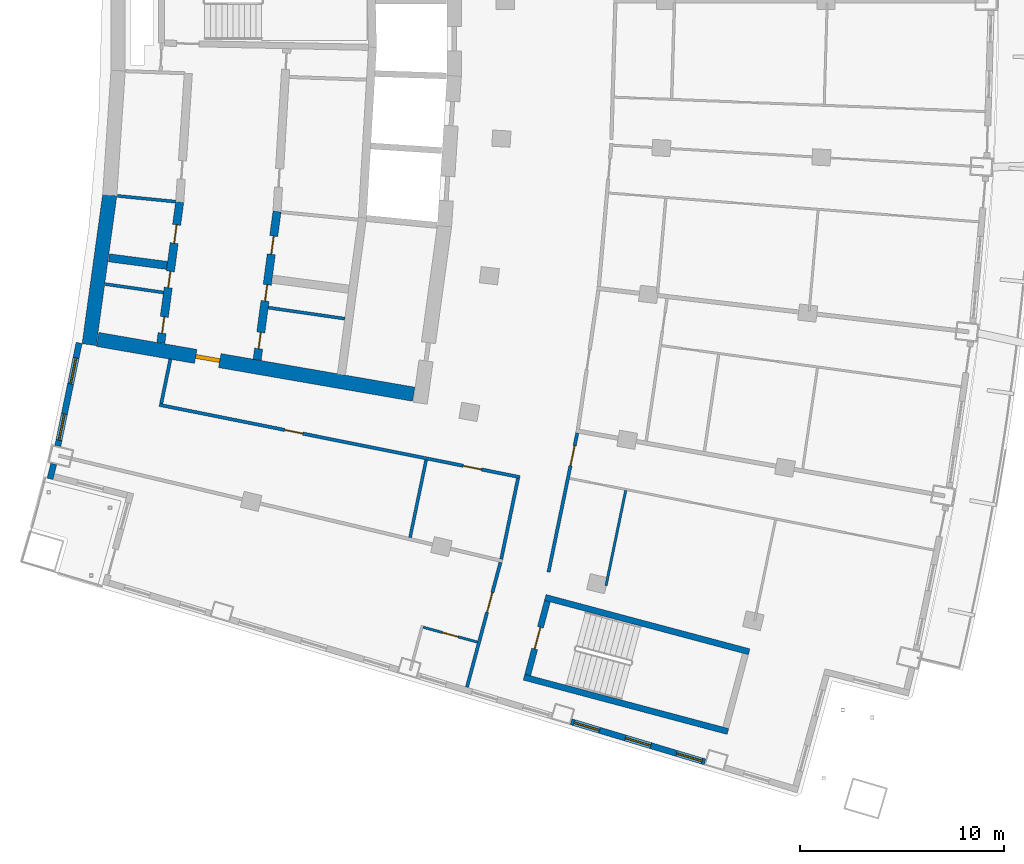
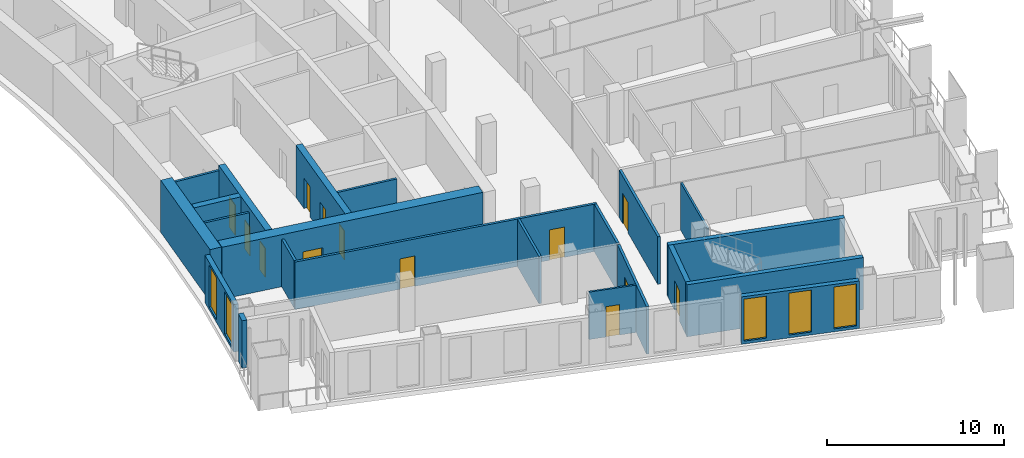
# One storey, part 10 of 20: 22 walls, 13 doors, 5 windows, 18 openings.
"""IFC4 building model written with IfcOpenShell, lengths in metres."""

from ifc_helpers import new_model, si_unit, direction, frame, frame_2d, origin, place, context, subcontext, project, spatial, rectangle, extrude, material, layer, layer_set, type_object, element, fill, save


model = new_model("IFC4")

# Units and contexts
model_context = context("Model", 3, precision=1e-05, world=origin(), true_north=direction((0.0, 1.0)))
body_context = subcontext(model_context, "Body", "Model", "MODEL_VIEW")
ifc_project = project(units=[si_unit("LENGTHUNIT", "METRE"), si_unit("AREAUNIT", "SQUARE_METRE"), si_unit("VOLUMEUNIT", "CUBIC_METRE"), si_unit("PLANEANGLEUNIT", "RADIAN"), si_unit("MASSUNIT", "GRAM", prefix="KILO")], contexts=[model_context])

# Site, building, storey
site_placement = place(None, origin())
site = spatial("IfcSite", under=ifc_project, at=site_placement, CompositionType="ELEMENT")
building_placement = place(site_placement, origin())
building = spatial("IfcBuilding", under=site, at=building_placement, Name="Alderwake Tower", CompositionType="ELEMENT")
storey_placement = place(building_placement, frame((0.0, 0.0, 164.0)))
storey = spatial("IfcBuildingStorey", under=building, at=storey_placement, Name="L40", CompositionType="ELEMENT", Elevation=164.0)

# Walls
ifc_material_1 = material(Name="Gypsum shaft wall system, rated")
ifc_layer_1 = layer(ifc_material_1, 0.14990234375)
ifc_layer_set_1 = layer_set([ifc_layer_1], Name="Core room partition 150")
wall_type_1 = type_object("IfcWallType", Name="Core room partition 150", PredefinedType="PARTITIONING", material=ifc_layer_set_1)
wall_1_placement = place(storey_placement, frame((16.16357421875, 47.110595703125, 0.0), z_axis=(0.0, 0.0, 1.0), x_axis=(0.989731551655, -0.142938642984, 0.0)))
element("IfcWall", 1, at=wall_1_placement, inside=storey, type_object=wall_type_1, Name="CW/L40/PR-150_+0", PredefinedType="PARTITIONING", context=body_context, shape_type="SweptSolid", body=[
    extrude(rectangle(XDim=2.883056640625, YDim=0.14990234375, at=frame_2d((1.44140625, 0.0))), origin(), (0.0, 0.0, 1.0), 3.280029296875),
])
wall_2_placement = place(storey_placement, frame((24.160400390625, 45.95556640625, 0.0), z_axis=(0.0, 0.0, 1.0), x_axis=(0.989733513529, -0.142925057975, 0.0)))
element("IfcWall", 2, at=wall_2_placement, inside=storey, type_object=wall_type_1, Name="CW/L40/PR-150_+86", PredefinedType="PARTITIONING", context=body_context, shape_type="SweptSolid", body=[
    extrude(rectangle(XDim=3.795654296875, YDim=0.14990234375, at=frame_2d((1.89794921875, 0.0))), origin(), (0.0, 0.0, 1.0), 3.280029296875),
])
wall_3_placement = place(storey_placement, frame((16.759033203125, 51.438720703125, 0.0), z_axis=(0.0, 0.0, 1.0), x_axis=(0.995151923206, -0.098349630095, 0.0)))
element("IfcWall", 3, at=wall_3_placement, inside=storey, type_object=wall_type_1, Name="CW/L40/PR-103_+0", PredefinedType="PARTITIONING", context=body_context, shape_type="SweptSolid", body=[
    extrude(rectangle(XDim=2.86962890625, YDim=0.14990234375, at=frame_2d((1.434814453125, 0.0))), origin(), (0.0, 0.0, 1.0), 3.280029296875),
])
ifc_material_2 = material(Name="Concrete C70/85", Category="concrete")
ifc_layer_2 = layer(ifc_material_2, 0.699951171875)
ifc_layer_set_2 = layer_set([ifc_layer_2], Name="Core wall outer 700 C70-85")
wall_type_2 = type_object("IfcWallType", Name="Core wall outer 700 C70-85", PredefinedType="SHEAR", material=ifc_layer_set_2)
wall_4_placement = place(storey_placement, frame((15.370849609375, 44.1376953125, 0.0), z_axis=(0.0, 0.0, 1.0), x_axis=(0.136315619812, 0.99066545907, 0.0)))
element("IfcWall", 4, at=wall_4_placement, inside=storey, type_object=wall_type_2, Name="Core wall CW.042", PredefinedType="SHEAR", context=body_context, shape_type="SweptSolid", body=[
    extrude(rectangle(XDim=7.420166015625, YDim=0.699951171875, at=frame_2d((3.7099609375, 0.0))), origin(), (0.0, 0.0, 1.0), 3.60009765625),
])

# Wall, opening, door
wall_5_placement = place(storey_placement, frame((31.295654296875, 41.705810546875, 0.0), z_axis=(0.0, 0.0, 1.0), x_axis=(-0.985302589944, 0.170818050129, 0.0)))
wall_5 = element("IfcWall", 5, at=wall_5_placement, inside=storey, type_object=wall_type_2, Name="Core wall CW.072", PredefinedType="SHEAR", context=body_context, shape_type="SweptSolid", body=[
    extrude(rectangle(XDim=15.7373046875, YDim=0.699951171875, at=frame_2d((7.86865234375, 0.0))), origin(), (0.0, 0.0, 1.0), 3.60009765625),
])
opening_1_placement = place(wall_5_placement, frame((9.65576171875, 0.0, 0.0)))
opening_1 = element("IfcOpeningElement", 6, at=opening_1_placement, cuts=wall_5, Name="Opening C003", PredefinedType="OPENING", context=body_context, shape_type="SweptSolid", body=[
    extrude(rectangle(XDim=1.199951171875, YDim=2.10009765625, at=frame_2d((0.60009765625, 1.050048828125))), frame((0.0, 0.35986328125, 0.0), z_axis=(0.0, -1.0, 0.0), x_axis=(1.0, 0.0, 0.0)), (0.0, 0.0, 1.0), 0.719970703125),
])
ifc_material_3 = material(Name="Steel-framed fire door leaf", Category="steel")
door_type_1 = type_object("IfcDoorType", Name="Core lobby exit door 1200 fire-rated", OperationType="SINGLE_SWING_LEFT", PredefinedType="DOOR", material=ifc_material_3)
door_1_placement = place(opening_1_placement, origin())
door_1 = element("IfcDoor", 7, at=door_1_placement, inside=storey, type_object=door_type_1, Name="Lobby door", OperationType="SINGLE_SWING_LEFT", OverallHeight=2.10009765625, OverallWidth=1.199951171875, PredefinedType="DOOR", context=body_context, shape_type="SweptSolid", body=[
    extrude(rectangle(XDim=1.199951171875, YDim=2.10009765625, at=frame_2d((0.60009765625, 1.050048828125))), frame((0.0, 0.10009765625, 0.0), z_axis=(0.0, -1.0, 0.0), x_axis=(1.0, 0.0, 0.0)), (0.0, 0.0, 1.0), 0.199951171875),
])
fill(opening_1, door_1)

# Wall, openings, doors
ifc_material_4 = material(Name="Concrete C70/85", Category="concrete")
ifc_layer_3 = layer(ifc_material_4, 0.39990234375)
ifc_layer_set_3 = layer_set([ifc_layer_3], Name="Core wall spine 400 C70-85")
wall_type_3 = type_object("IfcWallType", Name="Core wall spine 400 C70-85", PredefinedType="SHEAR", material=ifc_layer_set_3)
wall_6_placement = place(storey_placement, frame((19.814697265625, 51.143798828125, 0.0), z_axis=(0.0, 0.0, 1.0), x_axis=(-0.132864871698, -0.991134161387, 0.0)))
wall_6 = element("IfcWall", 8, at=wall_6_placement, inside=storey, type_object=wall_type_3, Name="Core wall CW.033", PredefinedType="SHEAR", context=body_context, shape_type="SweptSolid", body=[
    extrude(rectangle(XDim=6.978759765625, YDim=0.39990234375, at=frame_2d((3.4892578125, 0.0))), origin(), (0.0, 0.0, 1.0), 3.60009765625),
])
opening_2_placement = place(wall_6_placement, frame((5.69677734375, 0.0, 0.0)))
opening_2 = element("IfcOpeningElement", 9, at=opening_2_placement, cuts=wall_6, Name="Opening C008", PredefinedType="OPENING", context=body_context, shape_type="SweptSolid", body=[
    extrude(rectangle(XDim=0.800048828125, YDim=2.0, at=frame_2d((0.39990234375, 1.0))), frame((0.0, 0.2099609375, 0.0), z_axis=(0.0, -1.0, 0.0), x_axis=(1.0, 0.0, 0.0)), (0.0, 0.0, 1.0), 0.419921875),
])
opening_3_placement = place(wall_6_placement, frame((3.443115234375, 0.0, 0.0)))
opening_3 = element("IfcOpeningElement", 10, at=opening_3_placement, cuts=wall_6, Name="Opening C012", PredefinedType="OPENING", context=body_context, shape_type="SweptSolid", body=[
    extrude(rectangle(XDim=0.800048828125, YDim=2.0, at=frame_2d((0.39990234375, 1.0))), frame((0.0, 0.2099609375, 0.0), z_axis=(0.0, -1.0, 0.0), x_axis=(1.0, 0.0, 0.0)), (0.0, 0.0, 1.0), 0.419921875),
])
opening_4_placement = place(wall_6_placement, frame((1.13916015625, 0.0, 0.0)))
opening_4 = element("IfcOpeningElement", 11, at=opening_4_placement, cuts=wall_6, Name="Opening C039", PredefinedType="OPENING", context=body_context, shape_type="SweptSolid", body=[
    extrude(rectangle(XDim=0.89990234375, YDim=2.10009765625, at=frame_2d((0.449951171875, 1.050048828125))), frame((0.0, 0.2099609375, 0.0), z_axis=(0.0, -1.0, 0.0), x_axis=(1.0, 0.0, 0.0)), (0.0, 0.0, 1.0), 0.419921875),
])
ifc_material_5 = material(Name="Painted steel leaf", Category="steel")
door_type_2 = type_object("IfcDoorType", Name="Core room door 900", OperationType="SINGLE_SWING_LEFT", PredefinedType="DOOR", material=ifc_material_5)
door_2_placement = place(opening_4_placement, origin())
door_2 = element("IfcDoor", 12, at=door_2_placement, inside=storey, type_object=door_type_2, Name="Room door", OperationType="SINGLE_SWING_LEFT", OverallHeight=2.10009765625, OverallWidth=0.89990234375, PredefinedType="DOOR", context=body_context, shape_type="SweptSolid", body=[
    extrude(rectangle(XDim=0.89990234375, YDim=2.10009765625, at=frame_2d((0.449951171875, 1.050048828125))), frame((0.0, 0.02490234375, 0.0), z_axis=(0.0, -1.0, 0.0), x_axis=(1.0, 0.0, 0.0)), (0.0, 0.0, 1.0), 0.050048828125),
])
fill(opening_4, door_2)
ifc_material_6 = material(Name="Painted steel leaf, rated", Category="steel")
door_type_3 = type_object("IfcDoorType", Name="Riser access door 800", OperationType="SINGLE_SWING_LEFT", PredefinedType="DOOR", material=ifc_material_6)
door_3_placement = place(opening_2_placement, origin())
door_3 = element("IfcDoor", 13, at=door_3_placement, inside=storey, type_object=door_type_3, Name="Riser access door", OperationType="SINGLE_SWING_LEFT", OverallHeight=2.0, OverallWidth=0.800048828125, PredefinedType="DOOR", context=body_context, shape_type="SweptSolid", body=[
    extrude(rectangle(XDim=0.800048828125, YDim=2.0, at=frame_2d((0.39990234375, 1.0))), frame((0.0, 0.02490234375, 0.0), z_axis=(0.0, -1.0, 0.0), x_axis=(1.0, 0.0, 0.0)), (0.0, 0.0, 1.0), 0.050048828125),
])
fill(opening_2, door_3)
door_4_placement = place(opening_3_placement, origin())
door_4 = element("IfcDoor", 14, at=door_4_placement, inside=storey, type_object=door_type_3, Name="Riser access door", OperationType="SINGLE_SWING_RIGHT", OverallHeight=2.0, OverallWidth=0.800048828125, PredefinedType="DOOR", context=body_context, shape_type="SweptSolid", body=[
    extrude(rectangle(XDim=0.800048828125, YDim=2.0, at=frame_2d((0.39990234375, 1.0))), frame((0.0, 0.02490234375, 0.0), z_axis=(0.0, -1.0, 0.0), x_axis=(1.0, 0.0, 0.0)), (0.0, 0.0, 1.0), 0.050048828125),
])
fill(opening_3, door_4)

wall_7_placement = place(storey_placement, frame((23.6142578125, 43.390869140625, 0.0), z_axis=(0.0, 0.0, 1.0), x_axis=(0.133023466616, 0.991112888287, 0.0)))
wall_7 = element("IfcWall", 15, at=wall_7_placement, inside=storey, type_object=wall_type_3, Name="Core wall CW.047", PredefinedType="SHEAR", context=body_context, shape_type="SweptSolid", body=[
    extrude(rectangle(XDim=7.3466796875, YDim=0.39990234375, at=frame_2d((3.67333984375, 0.0))), origin(), (0.0, 0.0, 1.0), 3.60009765625),
])
opening_5_placement = place(wall_7_placement, frame((0.557861328125, 0.0, 0.0)))
opening_5 = element("IfcOpeningElement", 16, at=opening_5_placement, cuts=wall_7, Name="Opening C015", PredefinedType="OPENING", context=body_context, shape_type="SweptSolid", body=[
    extrude(rectangle(XDim=0.800048828125, YDim=2.0, at=frame_2d((0.39990234375, 1.0))), frame((0.0, 0.2099609375, 0.0), z_axis=(0.0, -1.0, 0.0), x_axis=(1.0, 0.0, 0.0)), (0.0, 0.0, 1.0), 0.419921875),
])
opening_6_placement = place(wall_7_placement, frame((2.91943359375, 0.0, 0.0)))
opening_6 = element("IfcOpeningElement", 17, at=opening_6_placement, cuts=wall_7, Name="Opening C019", PredefinedType="OPENING", context=body_context, shape_type="SweptSolid", body=[
    extrude(rectangle(XDim=0.800048828125, YDim=2.0, at=frame_2d((0.39990234375, 1.0))), frame((0.0, 0.2099609375, 0.0), z_axis=(0.0, -1.0, 0.0), x_axis=(1.0, 0.0, 0.0)), (0.0, 0.0, 1.0), 0.419921875),
])
opening_7_placement = place(wall_7_placement, frame((5.231201171875, 0.0, 0.0)))
opening_7 = element("IfcOpeningElement", 18, at=opening_7_placement, cuts=wall_7, Name="Opening C045", PredefinedType="OPENING", context=body_context, shape_type="SweptSolid", body=[
    extrude(rectangle(XDim=0.89990234375, YDim=2.10009765625, at=frame_2d((0.449951171875, 1.050048828125))), frame((0.0, 0.2099609375, 0.0), z_axis=(0.0, -1.0, 0.0), x_axis=(1.0, 0.0, 0.0)), (0.0, 0.0, 1.0), 0.419921875),
])
door_5_placement = place(opening_7_placement, origin())
door_5 = element("IfcDoor", 19, at=door_5_placement, inside=storey, type_object=door_type_2, Name="Room door", OperationType="SINGLE_SWING_LEFT", OverallHeight=2.10009765625, OverallWidth=0.89990234375, PredefinedType="DOOR", context=body_context, shape_type="SweptSolid", body=[
    extrude(rectangle(XDim=0.89990234375, YDim=2.10009765625, at=frame_2d((0.449951171875, 1.050048828125))), frame((0.0, 0.02490234375, 0.0), z_axis=(0.0, -1.0, 0.0), x_axis=(1.0, 0.0, 0.0)), (0.0, 0.0, 1.0), 0.050048828125),
])
fill(opening_7, door_5)
door_6_placement = place(opening_5_placement, origin())
door_6 = element("IfcDoor", 20, at=door_6_placement, inside=storey, type_object=door_type_3, Name="Riser access door", OperationType="SINGLE_SWING_LEFT", OverallHeight=2.0, OverallWidth=0.800048828125, PredefinedType="DOOR", context=body_context, shape_type="SweptSolid", body=[
    extrude(rectangle(XDim=0.800048828125, YDim=2.0, at=frame_2d((0.39990234375, 1.0))), frame((0.0, 0.02490234375, 0.0), z_axis=(0.0, -1.0, 0.0), x_axis=(1.0, 0.0, 0.0)), (0.0, 0.0, 1.0), 0.050048828125),
])
fill(opening_5, door_6)
door_7_placement = place(opening_6_placement, origin())
door_7 = element("IfcDoor", 21, at=door_7_placement, inside=storey, type_object=door_type_3, Name="Riser access door", OperationType="SINGLE_SWING_RIGHT", OverallHeight=2.0, OverallWidth=0.800048828125, PredefinedType="DOOR", context=body_context, shape_type="SweptSolid", body=[
    extrude(rectangle(XDim=0.800048828125, YDim=2.0, at=frame_2d((0.39990234375, 1.0))), frame((0.0, 0.02490234375, 0.0), z_axis=(0.0, -1.0, 0.0), x_axis=(1.0, 0.0, 0.0)), (0.0, 0.0, 1.0), 0.050048828125),
])
fill(opening_6, door_7)

# Walls
wall_8_placement = place(storey_placement, frame((16.3408203125, 48.3994140625, 0.0), z_axis=(0.0, 0.0, 1.0), x_axis=(0.991544987266, -0.129763393253, 0.0)))
element("IfcWall", 22, at=wall_8_placement, inside=storey, type_object=wall_type_3, Name="Core wall CW.067", PredefinedType="SHEAR", context=body_context, shape_type="SweptSolid", body=[
    extrude(rectangle(XDim=2.878662109375, YDim=0.39990234375, at=frame_2d((1.439453125, 0.0))), origin(), (0.0, 0.0, 1.0), 3.60009765625),
])
ifc_material_7 = material(Name="Concrete C70/85", Category="concrete")
ifc_layer_4 = layer(ifc_material_7, 0.300048828125)
ifc_layer_set_4 = layer_set([ifc_layer_4], Name="Core wall stair enclosure 300 C70-85")
wall_type_4 = type_object("IfcWallType", Name="Core wall stair enclosure 300 C70-85", PredefinedType="SHEAR", material=ifc_layer_set_4)
for number, where, z_axis, x_axis, name in (
    (23, (37.75390625, 31.731201171875, 0.0), (0.0, 0.0, 1.0), (0.966309214305, -0.257383958996, 0.0), "Core wall CW.086"),
    (24, (36.71142578125, 27.817626953125, 0.0), (0.0, 0.0, 1.0), (0.966309214305, -0.257383958996, 0.0), "Core wall CW.088"),
):
    element("IfcWall", number, at=place(storey_placement, frame(where, z_axis=z_axis, x_axis=x_axis)), inside=storey, type_object=wall_type_4, Name=name, PredefinedType="SHEAR", context=body_context, shape_type="SweptSolid", body=[
        extrude(rectangle(XDim=10.360107421875, YDim=0.300048828125, at=frame_2d((5.18017578125, 0.0))), origin(), (0.0, 0.0, 1.0), 3.60009765625),
    ])

# Wall, opening, door
wall_9_placement = place(storey_placement, frame((36.89501953125, 27.923828125, 0.0), z_axis=(0.0, 0.0, 1.0), x_axis=(0.257350630826, 0.966318090907, 0.0)))
wall_9 = element("IfcWall", 25, at=wall_9_placement, inside=storey, type_object=wall_type_4, Name="Core wall CW.087", PredefinedType="SHEAR", context=body_context, shape_type="SweptSolid", body=[
    extrude(rectangle(XDim=3.75, YDim=0.300048828125, at=frame_2d((1.875, 0.0))), origin(), (0.0, 0.0, 1.0), 3.60009765625),
])
opening_8_placement = place(wall_9_placement, frame((1.324951171875, 0.0, 0.0)))
opening_8 = element("IfcOpeningElement", 26, at=opening_8_placement, cuts=wall_9, Name="Opening C065", PredefinedType="OPENING", context=body_context, shape_type="SweptSolid", body=[
    extrude(rectangle(XDim=1.10009765625, YDim=2.10009765625, at=frame_2d((0.550048828125, 1.050048828125))), frame((0.0, 0.159912109375, 0.0), z_axis=(0.0, -1.0, 0.0), x_axis=(1.0, 0.0, 0.0)), (0.0, 0.0, 1.0), 0.320068359375),
])
ifc_material_8 = material(Name="Steel-framed fire door leaf", Category="steel")
door_type_4 = type_object("IfcDoorType", Name="Core stair door 1100 fire-rated", OperationType="SINGLE_SWING_LEFT", PredefinedType="DOOR", material=ifc_material_8)
door_8_placement = place(opening_8_placement, origin())
door_8 = element("IfcDoor", 27, at=door_8_placement, inside=storey, type_object=door_type_4, Name="Stair door", OperationType="SINGLE_SWING_RIGHT", OverallHeight=2.10009765625, OverallWidth=1.10009765625, PredefinedType="DOOR", context=body_context, shape_type="SweptSolid", body=[
    extrude(rectangle(XDim=1.10009765625, YDim=2.10009765625, at=frame_2d((0.550048828125, 1.050048828125))), frame((0.0, 0.02490234375, 0.0), z_axis=(0.0, -1.0, 0.0), x_axis=(1.0, 0.0, 0.0)), (0.0, 0.0, 1.0), 0.050048828125),
])
fill(opening_8, door_8)

# Wall, openings, doors
ifc_material_9 = material(Name="Gypsum board on metal studs, rated")
ifc_layer_5 = layer(ifc_material_9, 0.159912109375)
ifc_layer_set_5 = layer_set([ifc_layer_5], Name="Corridor wall 160")
wall_type_5 = type_object("IfcWallType", Name="Corridor wall 160", PredefinedType="PARTITIONING", material=ifc_layer_set_5)
wall_10_placement = place(storey_placement, frame((36.513427734375, 37.63427734375, 0.0), z_axis=(0.0, 0.0, 1.0), x_axis=(-0.980470254867, 0.1966674333, 0.0)))
wall_10 = element("IfcWall", 28, at=wall_10_placement, inside=storey, type_object=wall_type_5, Name="WL/L40/W12", PredefinedType="PARTITIONING", context=body_context, shape_type="SweptSolid", body=[
    extrude(rectangle(XDim=18.053466796875, YDim=0.159912109375, at=frame_2d((9.02685546875, 0.0))), origin(), (0.0, 0.0, 1.0), 3.280029296875),
])
opening_9_placement = place(wall_10_placement, frame((10.876708984375, 0.0, 0.0)))
opening_9 = element("IfcOpeningElement", 29, at=opening_9_placement, cuts=wall_10, Name="Opening R11-SBS1", PredefinedType="OPENING", context=body_context, shape_type="SweptSolid", body=[
    extrude(rectangle(XDim=0.89990234375, YDim=2.10009765625, at=frame_2d((0.449951171875, 1.050048828125))), frame((0.0, 0.08984375, 0.0), z_axis=(0.0, -1.0, 0.0), x_axis=(1.0, 0.0, 0.0)), (0.0, 0.0, 1.0), 0.179931640625),
])
opening_10_placement = place(wall_10_placement, frame((1.9306640625, 0.0, 0.0)))
opening_10 = element("IfcOpeningElement", 30, at=opening_10_placement, cuts=wall_10, Name="Opening R11-SBS2", PredefinedType="OPENING", context=body_context, shape_type="SweptSolid", body=[
    extrude(rectangle(XDim=0.89990234375, YDim=2.10009765625, at=frame_2d((0.449951171875, 1.050048828125))), frame((0.0, 0.08984375, 0.0), z_axis=(0.0, -1.0, 0.0), x_axis=(1.0, 0.0, 0.0)), (0.0, 0.0, 1.0), 0.179931640625),
])
ifc_material_10 = material(Name="Painted timber leaf", Category="wood")
door_type_5 = type_object("IfcDoorType", Name="Room door 900", OperationType="SINGLE_SWING_LEFT", PredefinedType="DOOR", material=ifc_material_10)
door_9_placement = place(opening_9_placement, origin())
door_9 = element("IfcDoor", 31, at=door_9_placement, inside=storey, type_object=door_type_5, Name="DR/L40/SBS1", OperationType="SINGLE_SWING_LEFT", OverallHeight=2.10009765625, OverallWidth=0.89990234375, PredefinedType="DOOR", context=body_context, shape_type="SweptSolid", body=[
    extrude(rectangle(XDim=0.89990234375, YDim=2.10009765625, at=frame_2d((0.449951171875, 1.050048828125))), frame((0.0, 0.02490234375, 0.0), z_axis=(0.0, -1.0, 0.0), x_axis=(1.0, 0.0, 0.0)), (0.0, 0.0, 1.0), 0.050048828125),
])
fill(opening_9, door_9)
door_10_placement = place(opening_10_placement, origin())
door_10 = element("IfcDoor", 32, at=door_10_placement, inside=storey, type_object=door_type_5, Name="DR/L40/SBS2", OperationType="SINGLE_SWING_LEFT", OverallHeight=2.10009765625, OverallWidth=0.89990234375, PredefinedType="DOOR", context=body_context, shape_type="SweptSolid", body=[
    extrude(rectangle(XDim=0.89990234375, YDim=2.10009765625, at=frame_2d((0.449951171875, 1.050048828125))), frame((0.0, 0.02490234375, 0.0), z_axis=(0.0, -1.0, 0.0), x_axis=(1.0, 0.0, 0.0)), (0.0, 0.0, 1.0), 0.050048828125),
])
fill(opening_10, door_10)

# Wall
wall_11_placement = place(storey_placement, frame((19.35888671875, 43.430908203125, 0.0), z_axis=(0.0, 0.0, 1.0), x_axis=(-0.202554916658, -0.979270905183, 0.0)))
element("IfcWall", 33, at=wall_11_placement, inside=storey, type_object=wall_type_5, Name="WL/L40/W13", PredefinedType="PARTITIONING", context=body_context, shape_type="SweptSolid", body=[
    extrude(rectangle(XDim=2.229736328125, YDim=0.159912109375, at=frame_2d((1.11474609375, 0.0))), origin(), (0.0, 0.0, 1.0), 3.280029296875),
])

# Wall, opening, door
wall_12_placement = place(storey_placement, frame((33.912109375, 27.321044921875, 0.0), z_axis=(0.0, 0.0, 1.0), x_axis=(0.259370874835, 0.965777794986, 0.0)))
wall_12 = element("IfcWall", 34, at=wall_12_placement, inside=storey, type_object=wall_type_5, Name="WL/L40/W16", PredefinedType="PARTITIONING", context=body_context, shape_type="SweptSolid", body=[
    extrude(rectangle(XDim=6.349853515625, YDim=0.159912109375, at=frame_2d((3.1748046875, 0.0))), origin(), (0.0, 0.0, 1.0), 3.280029296875),
])
opening_11_placement = place(wall_12_placement, frame((3.811279296875, 0.0, 0.0)))
opening_11 = element("IfcOpeningElement", 35, at=opening_11_placement, cuts=wall_12, Name="Opening R11-U09.1", PredefinedType="OPENING", context=body_context, shape_type="SweptSolid", body=[
    extrude(rectangle(XDim=1.0, YDim=2.10009765625, at=frame_2d((0.5, 1.050048828125))), frame((0.0, 0.08984375, 0.0), z_axis=(0.0, -1.0, 0.0), x_axis=(1.0, 0.0, 0.0)), (0.0, 0.0, 1.0), 0.179931640625),
])
ifc_material_11 = material(Name="Solid timber leaf in steel frame", Category="steel")
door_type_6 = type_object("IfcDoorType", Name="Flat entrance door 1000 fire-rated", OperationType="SINGLE_SWING_LEFT", PredefinedType="DOOR", material=ifc_material_11)
door_11_placement = place(opening_11_placement, origin())
door_11 = element("IfcDoor", 36, at=door_11_placement, inside=storey, type_object=door_type_6, Name="DR/L40/U09.1", OperationType="SINGLE_SWING_LEFT", OverallHeight=2.10009765625, OverallWidth=1.0, PredefinedType="DOOR", context=body_context, shape_type="SweptSolid", body=[
    extrude(rectangle(XDim=1.0, YDim=2.10009765625, at=frame_2d((0.5, 1.050048828125))), frame((0.0, 0.02490234375, 0.0), z_axis=(0.0, -1.0, 0.0), x_axis=(1.0, 0.0, 0.0)), (0.0, 0.0, 1.0), 0.050048828125),
])
fill(opening_11, door_11)

# Wall
wall_13_placement = place(storey_placement, frame((36.418701171875, 37.57177734375, 0.0), z_axis=(0.0, 0.0, 1.0), x_axis=(-0.203245920818, -0.979127721838, 0.0)))
element("IfcWall", 37, at=wall_13_placement, inside=storey, type_object=wall_type_5, Name="WL/L40/W18", PredefinedType="PARTITIONING", context=body_context, shape_type="SweptSolid", body=[
    extrude(rectangle(XDim=4.046875, YDim=0.159912109375, at=frame_2d((2.0234375, 0.0))), origin(), (0.0, 0.0, 1.0), 3.280029296875),
])

# Wall, opening, door
wall_14_placement = place(storey_placement, frame((39.32763671875, 39.799072265625, 0.0), z_axis=(0.0, 0.0, 1.0), x_axis=(-0.202466556983, -0.979289177569, 0.0)))
wall_14 = element("IfcWall", 38, at=wall_14_placement, inside=storey, type_object=wall_type_5, Name="WL/L40/W20", PredefinedType="PARTITIONING", context=body_context, shape_type="SweptSolid", body=[
    extrude(rectangle(XDim=6.96728515625, YDim=0.159912109375, at=frame_2d((3.483642578125, 0.0))), origin(), (0.0, 0.0, 1.0), 3.280029296875),
])
opening_12_placement = place(wall_14_placement, frame((0.62744140625, 0.0, 0.0)))
opening_12 = element("IfcOpeningElement", 39, at=opening_12_placement, cuts=wall_14, Name="Opening R11-U03.2", PredefinedType="OPENING", context=body_context, shape_type="SweptSolid", body=[
    extrude(rectangle(XDim=1.0, YDim=2.10009765625, at=frame_2d((0.5, 1.050048828125))), frame((0.0, 0.08984375, 0.0), z_axis=(0.0, -1.0, 0.0), x_axis=(1.0, 0.0, 0.0)), (0.0, 0.0, 1.0), 0.179931640625),
])
door_12_placement = place(opening_12_placement, origin())
door_12 = element("IfcDoor", 40, at=door_12_placement, inside=storey, type_object=door_type_6, Name="DR/L40/U03.2", OperationType="SINGLE_SWING_LEFT", OverallHeight=2.10009765625, OverallWidth=1.0, PredefinedType="DOOR", context=body_context, shape_type="SweptSolid", body=[
    extrude(rectangle(XDim=1.0, YDim=2.10009765625, at=frame_2d((0.5, 1.050048828125))), frame((0.0, 0.02490234375, 0.0), z_axis=(0.0, -1.0, 0.0), x_axis=(1.0, 0.0, 0.0)), (0.0, 0.0, 1.0), 0.050048828125),
])
fill(opening_12, door_12)

# Wall
ifc_material_12 = material(Name="Precast concrete C50/60 spandrel panel", Category="concrete")
ifc_layer_6 = layer(ifc_material_12, 0.300048828125)
ifc_layer_set_6 = layer_set([ifc_layer_6], Name="External wall EW1 Precast concrete C50/60 spandrel")
wall_type_6 = type_object("IfcWallType", Name="External wall EW1 Precast concrete C50/60 spandrel", PredefinedType="SOLIDWALL", material=ifc_layer_set_6)
wall_15_placement = place(storey_placement, frame((13.63134765625, 38.28271484375, 0.0), z_axis=(0.0, 0.0, 1.0), x_axis=(-0.238336947214, -0.971182526404, 0.0)))
element("IfcWall", 41, at=wall_15_placement, inside=storey, type_object=wall_type_6, Name="External wall 1", PredefinedType="SOLIDWALL", context=body_context, shape_type="SweptSolid", body=[
    extrude(rectangle(XDim=0.7529296875, YDim=0.300048828125, at=frame_2d((0.37646484375, 0.0))), origin(), (0.0, 0.0, 1.0), 3.280029296875),
])

# Wall, openings, windows
wall_16_placement = place(storey_placement, frame((14.878173828125, 44.223388671875, 0.0), z_axis=(0.0, 0.0, 1.0), x_axis=(-0.202754243564, -0.979229654737, 0.0)))
wall_16 = element("IfcWall", 42, at=wall_16_placement, inside=storey, type_object=wall_type_6, Name="External wall 32", PredefinedType="SOLIDWALL", context=body_context, shape_type="SweptSolid", body=[
    extrude(rectangle(XDim=5.15966796875, YDim=0.300048828125, at=frame_2d((2.579833984375, 0.0))), origin(), (0.0, 0.0, 1.0), 3.280029296875),
])
opening_13_placement = place(wall_16_placement, frame((0.75634765625, 0.0, 0.199951171875)))
opening_13 = element("IfcOpeningElement", 43, at=opening_13_placement, cuts=wall_16, Name="Opening W1", PredefinedType="OPENING", context=body_context, shape_type="SweptSolid", body=[
    extrude(rectangle(XDim=1.300048828125, YDim=2.89990234375, at=frame_2d((0.64990234375, 1.449951171875))), frame((0.0, 0.159912109375, 0.0), z_axis=(0.0, -1.0, 0.0), x_axis=(1.0, 0.0, 0.0)), (0.0, 0.0, 1.0), 0.320068359375),
])
opening_14_placement = place(wall_16_placement, frame((3.569091796875, 0.0, 0.199951171875)))
opening_14 = element("IfcOpeningElement", 44, at=opening_14_placement, cuts=wall_16, Name="Opening W1", PredefinedType="OPENING", context=body_context, shape_type="SweptSolid", body=[
    extrude(rectangle(XDim=1.300048828125, YDim=2.89990234375, at=frame_2d((0.64990234375, 1.449951171875))), frame((0.0, 0.159912109375, 0.0), z_axis=(0.0, -1.0, 0.0), x_axis=(1.0, 0.0, 0.0)), (0.0, 0.0, 1.0), 0.320068359375),
])
ifc_material_13 = material(Name="Bronze tinted glass in aluminium frame", Category="aluminium")
window_type = type_object("IfcWindowType", Name="Window W1 tall fixed and vent", PartitioningType="DOUBLE_PANEL_VERTICAL", PredefinedType="WINDOW", material=ifc_material_13)
window_1_placement = place(opening_13_placement, origin())
window_1 = element("IfcWindow", 45, at=window_1_placement, inside=storey, type_object=window_type, Name="Window W1 tall fixed and vent", OverallHeight=2.89990234375, OverallWidth=1.300048828125, PartitioningType="DOUBLE_PANEL_VERTICAL", PredefinedType="WINDOW", context=body_context, shape_type="SweptSolid", body=[
    extrude(rectangle(XDim=1.300048828125, YDim=2.89990234375, at=frame_2d((0.64990234375, 1.449951171875))), frame((0.0, 0.030029296875, 0.0), z_axis=(0.0, -1.0, 0.0), x_axis=(1.0, 0.0, 0.0)), (0.0, 0.0, 1.0), 0.06005859375),
])
fill(opening_13, window_1)
window_2_placement = place(opening_14_placement, origin())
window_2 = element("IfcWindow", 46, at=window_2_placement, inside=storey, type_object=window_type, Name="Window W1 tall fixed and vent", OverallHeight=2.89990234375, OverallWidth=1.300048828125, PartitioningType="DOUBLE_PANEL_VERTICAL", PredefinedType="WINDOW", context=body_context, shape_type="SweptSolid", body=[
    extrude(rectangle(XDim=1.300048828125, YDim=2.89990234375, at=frame_2d((0.64990234375, 1.449951171875))), frame((0.0, 0.030029296875, 0.0), z_axis=(0.0, -1.0, 0.0), x_axis=(1.0, 0.0, 0.0)), (0.0, 0.0, 1.0), 0.06005859375),
])
fill(opening_14, window_2)

ifc_material_14 = material(Name="Bronze metal cladding on lightweight framing")
ifc_layer_7 = layer(ifc_material_14, 0.300048828125)
ifc_layer_set_7 = layer_set([ifc_layer_7], Name="External wall EW2 bronze metal cladding")
wall_type_7 = type_object("IfcWallType", Name="External wall EW2 bronze metal cladding", PredefinedType="SOLIDWALL", material=ifc_layer_set_7)
wall_17_placement = place(storey_placement, frame((39.023681640625, 25.631103515625, 0.0), z_axis=(0.0, 0.0, 1.0), x_axis=(0.957766538893, -0.287546964821, 0.0)))
wall_17 = element("IfcWall", 47, at=wall_17_placement, inside=storey, type_object=wall_type_7, Name="External wall 7", PredefinedType="SOLIDWALL", context=body_context, shape_type="SweptSolid", body=[
    extrude(rectangle(XDim=6.86279296875, YDim=0.300048828125, at=frame_2d((3.431396484375, 0.0))), origin(), (0.0, 0.0, 1.0), 3.280029296875),
])
opening_15_placement = place(wall_17_placement, frame((0.1591796875, 0.0, 0.199951171875)))
opening_15 = element("IfcOpeningElement", 48, at=opening_15_placement, cuts=wall_17, Name="Opening W1", PredefinedType="OPENING", context=body_context, shape_type="SweptSolid", body=[
    extrude(rectangle(XDim=1.300048828125, YDim=2.89990234375, at=frame_2d((0.64990234375, 1.449951171875))), frame((0.0, 0.159912109375, 0.0), z_axis=(0.0, -1.0, 0.0), x_axis=(1.0, 0.0, 0.0)), (0.0, 0.0, 1.0), 0.320068359375),
])
opening_16_placement = place(wall_17_placement, frame((2.781494140625, 0.0, 0.199951171875)))
opening_16 = element("IfcOpeningElement", 49, at=opening_16_placement, cuts=wall_17, Name="Opening W1", PredefinedType="OPENING", context=body_context, shape_type="SweptSolid", body=[
    extrude(rectangle(XDim=1.300048828125, YDim=2.89990234375, at=frame_2d((0.64990234375, 1.449951171875))), frame((0.0, 0.159912109375, 0.0), z_axis=(0.0, -1.0, 0.0), x_axis=(1.0, 0.0, 0.0)), (0.0, 0.0, 1.0), 0.320068359375),
])
opening_17_placement = place(wall_17_placement, frame((5.403564453125, 0.0, 0.199951171875)))
opening_17 = element("IfcOpeningElement", 50, at=opening_17_placement, cuts=wall_17, Name="Opening W1", PredefinedType="OPENING", context=body_context, shape_type="SweptSolid", body=[
    extrude(rectangle(XDim=1.300048828125, YDim=2.89990234375, at=frame_2d((0.64990234375, 1.449951171875))), frame((0.0, 0.159912109375, 0.0), z_axis=(0.0, -1.0, 0.0), x_axis=(1.0, 0.0, 0.0)), (0.0, 0.0, 1.0), 0.320068359375),
])
window_3_placement = place(opening_15_placement, origin())
window_3 = element("IfcWindow", 51, at=window_3_placement, inside=storey, type_object=window_type, Name="Window W1 tall fixed and vent", OverallHeight=2.89990234375, OverallWidth=1.300048828125, PartitioningType="DOUBLE_PANEL_VERTICAL", PredefinedType="WINDOW", context=body_context, shape_type="SweptSolid", body=[
    extrude(rectangle(XDim=1.300048828125, YDim=2.89990234375, at=frame_2d((0.64990234375, 1.449951171875))), frame((0.0, 0.030029296875, 0.0), z_axis=(0.0, -1.0, 0.0), x_axis=(1.0, 0.0, 0.0)), (0.0, 0.0, 1.0), 0.06005859375),
])
fill(opening_15, window_3)
window_4_placement = place(opening_16_placement, origin())
window_4 = element("IfcWindow", 52, at=window_4_placement, inside=storey, type_object=window_type, Name="Window W1 tall fixed and vent", OverallHeight=2.89990234375, OverallWidth=1.300048828125, PartitioningType="DOUBLE_PANEL_VERTICAL", PredefinedType="WINDOW", context=body_context, shape_type="SweptSolid", body=[
    extrude(rectangle(XDim=1.300048828125, YDim=2.89990234375, at=frame_2d((0.64990234375, 1.449951171875))), frame((0.0, 0.030029296875, 0.0), z_axis=(0.0, -1.0, 0.0), x_axis=(1.0, 0.0, 0.0)), (0.0, 0.0, 1.0), 0.06005859375),
])
fill(opening_16, window_4)
window_5_placement = place(opening_17_placement, origin())
window_5 = element("IfcWindow", 53, at=window_5_placement, inside=storey, type_object=window_type, Name="Window W1 tall fixed and vent", OverallHeight=2.89990234375, OverallWidth=1.300048828125, PartitioningType="DOUBLE_PANEL_VERTICAL", PredefinedType="WINDOW", context=body_context, shape_type="SweptSolid", body=[
    extrude(rectangle(XDim=1.300048828125, YDim=2.89990234375, at=frame_2d((0.64990234375, 1.449951171875))), frame((0.0, 0.030029296875, 0.0), z_axis=(0.0, -1.0, 0.0), x_axis=(1.0, 0.0, 0.0)), (0.0, 0.0, 1.0), 0.06005859375),
])
fill(opening_17, window_5)

# Wall
ifc_material_15 = material(Name="Gypsum shaft wall system, rated")
ifc_layer_8 = layer(ifc_material_15, 0.14990234375)
ifc_layer_set_8 = layer_set([ifc_layer_8], Name="Riser and shaft wall 150")
wall_type_8 = type_object("IfcWallType", Name="Riser and shaft wall 150", PredefinedType="PARTITIONING", material=ifc_layer_set_8)
wall_18_placement = place(storey_placement, frame((31.120361328125, 34.67138671875, 0.0), z_axis=(0.0, 0.0, 1.0), x_axis=(0.203103989328, 0.979157173042, 0.0)))
element("IfcWall", 54, at=wall_18_placement, inside=storey, type_object=wall_type_8, Name="WL/L40/W06", PredefinedType="PARTITIONING", context=body_context, shape_type="SweptSolid", body=[
    extrude(rectangle(XDim=3.887451171875, YDim=0.14990234375, at=frame_2d((1.94384765625, 0.0))), origin(), (0.0, 0.0, 1.0), 3.280029296875),
])

# Wall, opening, door
ifc_material_16 = material(Name="Moisture resistant gypsum board on metal studs")
ifc_layer_9 = layer(ifc_material_16, 0.1201171875)
ifc_layer_set_9 = layer_set([ifc_layer_9], Name="Wet room partition 120")
wall_type_9 = type_object("IfcWallType", Name="Wet room partition 120", PredefinedType="PARTITIONING", material=ifc_layer_set_9)
wall_19_placement = place(storey_placement, frame((34.42578125, 29.5380859375, 0.0), z_axis=(0.0, 0.0, 1.0), x_axis=(-0.964278304966, 0.264891205163, 0.0)))
wall_19 = element("IfcWall", 55, at=wall_19_placement, inside=storey, type_object=wall_type_9, Name="WL/L40/W32", PredefinedType="PARTITIONING", context=body_context, shape_type="SweptSolid", body=[
    extrude(rectangle(XDim=2.759521484375, YDim=0.1201171875, at=frame_2d((1.3798828125, 0.0))), origin(), (0.0, 0.0, 1.0), 3.280029296875),
])
opening_18_placement = place(wall_19_placement, frame((0.979736328125, 0.0, 0.0)))
opening_18 = element("IfcOpeningElement", 56, at=opening_18_placement, cuts=wall_19, Name="Opening R11-U09.2", PredefinedType="OPENING", context=body_context, shape_type="SweptSolid", body=[
    extrude(rectangle(XDim=0.800048828125, YDim=2.10009765625, at=frame_2d((0.39990234375, 1.050048828125))), frame((0.0, 0.070068359375, 0.0), z_axis=(0.0, -1.0, 0.0), x_axis=(1.0, 0.0, 0.0)), (0.0, 0.0, 1.0), 0.14013671875),
])
ifc_material_17 = material(Name="Painted timber leaf", Category="wood")
door_type_7 = type_object("IfcDoorType", Name="Bathroom door 800", OperationType="SINGLE_SWING_LEFT", PredefinedType="DOOR", material=ifc_material_17)
door_13_placement = place(opening_18_placement, origin())
door_13 = element("IfcDoor", 57, at=door_13_placement, inside=storey, type_object=door_type_7, Name="DR/L40/U09.2", OperationType="SINGLE_SWING_LEFT", OverallHeight=2.10009765625, OverallWidth=0.800048828125, PredefinedType="DOOR", context=body_context, shape_type="SweptSolid", body=[
    extrude(rectangle(XDim=0.800048828125, YDim=2.10009765625, at=frame_2d((0.39990234375, 1.050048828125))), frame((0.0, 0.02490234375, 0.0), z_axis=(0.0, -1.0, 0.0), x_axis=(1.0, 0.0, 0.0)), (0.0, 0.0, 1.0), 0.050048828125),
])
fill(opening_18, door_13)

# Wall
wall_20_placement = place(storey_placement, frame((40.737060546875, 32.303955078125, 0.0), z_axis=(0.0, 0.0, 1.0), x_axis=(0.202548156077, 0.979272303535, 0.0)))
element("IfcWall", 58, at=wall_20_placement, inside=storey, type_object=wall_type_9, Name="WL/L40/W33", PredefinedType="PARTITIONING", context=body_context, shape_type="SweptSolid", body=[
    extrude(rectangle(XDim=4.778076171875, YDim=0.1201171875, at=frame_2d((2.38916015625, 0.0))), origin(), (0.0, 0.0, 1.0), 3.280029296875),
])

save(model, "model.ifc")
